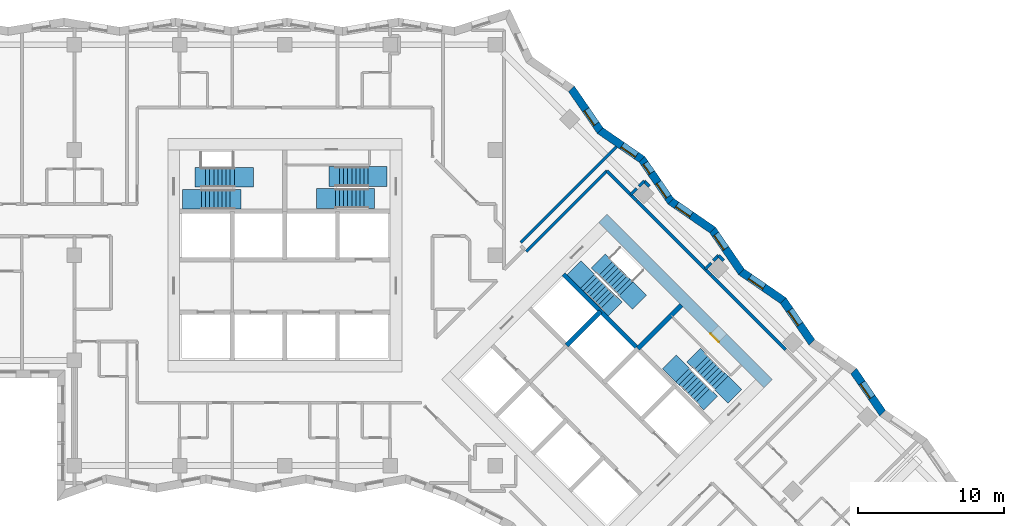
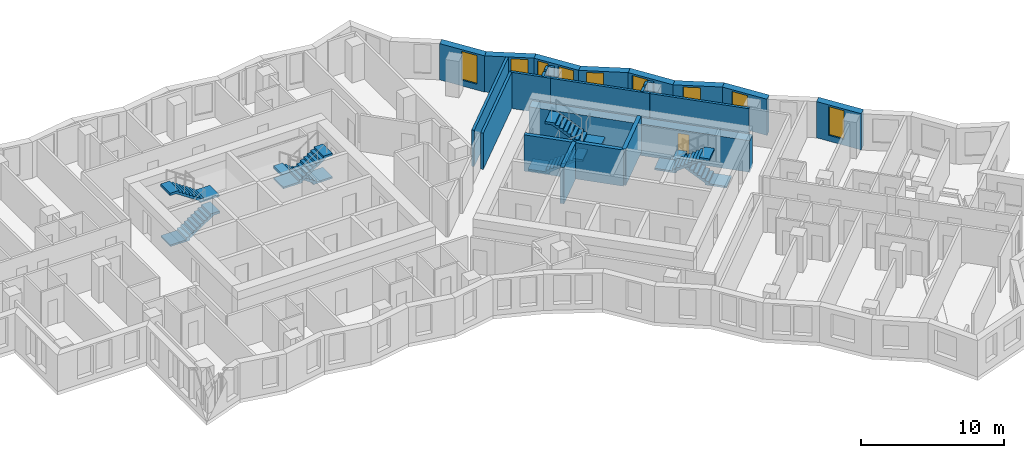
# One storey, part 11 of 14: 23 walls, 9 windows, 8 stair flights, 1 door, 10 openings, 4 elements without a shape of their own.
"""IFC4 building model written with IfcOpenShell, lengths in metres."""

from ifc_helpers import new_model, si_unit, direction, frame, frame_2d, origin, place, context, subcontext, project, spatial, polyline, rectangle, outline, extrude, material, layer, layer_set, type_object, element, fill, aggregate, save


model = new_model("IFC4")

# Units and contexts
model_context = context("Model", 3, precision=1e-05, world=origin(), true_north=direction((0.0, 1.0)))
body_context = subcontext(model_context, "Body", "Model", "MODEL_VIEW")
ifc_project = project(units=[si_unit("LENGTHUNIT", "METRE"), si_unit("AREAUNIT", "SQUARE_METRE"), si_unit("VOLUMEUNIT", "CUBIC_METRE"), si_unit("PLANEANGLEUNIT", "RADIAN"), si_unit("MASSUNIT", "GRAM", prefix="KILO")], contexts=[model_context])

# Site, building, storey
site_placement = place(None, origin())
site = spatial("IfcSite", under=ifc_project, at=site_placement, CompositionType="ELEMENT")
building_placement = place(site_placement, origin())
building = spatial("IfcBuilding", under=site, at=building_placement, Name="Windrow Commons", CompositionType="ELEMENT")
storey_placement = place(building_placement, frame((0.0, 0.0, 118.6)))
storey = spatial("IfcBuildingStorey", under=building, at=storey_placement, Name="L32", CompositionType="ELEMENT", Elevation=118.6)

# Wall, opening, window
ifc_material_1 = material(Name="Brick masonry, red clay brick", Category="masonry")
ifc_layer_1 = layer(ifc_material_1, 0.55)
ifc_layer_set_1 = layer_set([ifc_layer_1], Name="Brick facade wall 550")
wall_type_1 = type_object("IfcWallType", Name="Brick facade wall 550", PredefinedType="SOLIDWALL", material=ifc_layer_set_1)
wall_1_placement = place(storey_placement, frame((105.699, 46.8026, 0.0), z_axis=(0.0, 0.0, 1.0), x_axis=(-0.567104295, 0.8236459911, 0.0)))
wall_1 = element("IfcWall", 1, at=wall_1_placement, inside=storey, type_object=wall_type_1, Name="Brick facade wall L32 10", PredefinedType="SOLIDWALL", context=body_context, shape_type="SweptSolid", body=[
    extrude(outline(polyline([(0.0507, -0.275), (3.5234, -0.275), (3.4219, 0.275), (-0.0507, 0.275), (0.0507, -0.275)])), origin(), (0.0, 0.0, 1.0), 3.1),
])
opening_1_placement = place(wall_1_placement, frame((1.2931, 0.0, 0.5)))
opening_1 = element("IfcOpeningElement", 2, at=opening_1_placement, cuts=wall_1, Name="Opening W7D", PredefinedType="OPENING", context=body_context, shape_type="SweptSolid", body=[
    extrude(rectangle(XDim=1.2, YDim=2.45, at=frame_2d((0.6, 1.225))), frame((0.0, 0.285, 0.0), z_axis=(0.0, -1.0, 0.0), x_axis=(1.0, 0.0, 0.0)), (0.0, 0.0, 1.0), 0.57),
])
ifc_material_2 = material(Name="Clear float glass in anodised aluminium frame", Category="aluminium")
window_type_1 = type_object("IfcWindowType", Name="Window W7 notch 1200x2450", PartitioningType="SINGLE_PANEL", PredefinedType="WINDOW", material=ifc_material_2)
window_1_placement = place(opening_1_placement, origin())
window_1 = element("IfcWindow", 3, at=window_1_placement, inside=storey, type_object=window_type_1, Name="Window L32 10.1", OverallHeight=2.45, OverallWidth=1.2, PartitioningType="SINGLE_PANEL", PredefinedType="WINDOW", context=body_context, shape_type="SweptSolid", body=[
    extrude(rectangle(XDim=1.2, YDim=2.45, at=frame_2d((0.6, 1.225))), frame((0.0, 0.155, 0.0), z_axis=(0.0, -1.0, 0.0), x_axis=(1.0, 0.0, 0.0)), (0.0, 0.0, 1.0), 0.06),
])
fill(opening_1, window_1)

wall_2_placement = place(storey_placement, frame((100.8693, 51.6322, 0.0), z_axis=(0.0, 0.0, 1.0), x_axis=(-0.5670847596, 0.8236594414, 0.0)))
wall_2 = element("IfcWall", 4, at=wall_2_placement, inside=storey, type_object=wall_type_1, Name="Brick facade wall L32 12", PredefinedType="SOLIDWALL", context=body_context, shape_type="SweptSolid", body=[
    extrude(outline(polyline([(0.0507, -0.275), (3.5234, -0.275), (3.4219, 0.275), (-0.0507, 0.275), (0.0507, -0.275)])), origin(), (0.0, 0.0, 1.0), 3.1),
])
opening_2_placement = place(wall_2_placement, frame((1.4811, 0.0, 0.5)))
opening_2 = element("IfcOpeningElement", 5, at=opening_2_placement, cuts=wall_2, Name="Opening W7D", PredefinedType="OPENING", context=body_context, shape_type="SweptSolid", body=[
    extrude(rectangle(XDim=1.2, YDim=2.45, at=frame_2d((0.6, 1.225))), frame((0.0, 0.285, 0.0), z_axis=(0.0, -1.0, 0.0), x_axis=(1.0, 0.0, 0.0)), (0.0, 0.0, 1.0), 0.57),
])
window_2_placement = place(opening_2_placement, origin())
window_2 = element("IfcWindow", 6, at=window_2_placement, inside=storey, type_object=window_type_1, Name="Window L32 12.1", OverallHeight=2.45, OverallWidth=1.2, PartitioningType="SINGLE_PANEL", PredefinedType="WINDOW", context=body_context, shape_type="SweptSolid", body=[
    extrude(rectangle(XDim=1.2, YDim=2.45, at=frame_2d((0.6, 1.225))), frame((0.0, 0.155, 0.0), z_axis=(0.0, -1.0, 0.0), x_axis=(1.0, 0.0, 0.0)), (0.0, 0.0, 1.0), 0.06),
])
fill(opening_2, window_2)

wall_3_placement = place(storey_placement, frame((98.9, 54.4925, 0.0), z_axis=(0.0, 0.0, 1.0), x_axis=(-0.8236594414, 0.5670847596, 0.0)))
wall_3 = element("IfcWall", 7, at=wall_3_placement, inside=storey, type_object=wall_type_1, Name="Brick facade wall L32 13", PredefinedType="SOLIDWALL", context=body_context, shape_type="SweptSolid", body=[
    extrude(outline(polyline([(-0.0507, -0.275), (3.4219, -0.275), (3.5234, 0.275), (0.0507, 0.275), (-0.0507, -0.275)])), origin(), (0.0, 0.0, 1.0), 3.1),
])
opening_3_placement = place(wall_3_placement, frame((1.6005, 0.0, 0.5)))
opening_3 = element("IfcOpeningElement", 8, at=opening_3_placement, cuts=wall_3, Name="Opening W7D", PredefinedType="OPENING", context=body_context, shape_type="SweptSolid", body=[
    extrude(rectangle(XDim=1.2, YDim=2.45, at=frame_2d((0.6, 1.225))), frame((0.0, 0.285, 0.0), z_axis=(0.0, -1.0, 0.0), x_axis=(1.0, 0.0, 0.0)), (0.0, 0.0, 1.0), 0.57),
])
window_3_placement = place(opening_3_placement, origin())
window_3 = element("IfcWindow", 9, at=window_3_placement, inside=storey, type_object=window_type_1, Name="Window L32 13.1", OverallHeight=2.45, OverallWidth=1.2, PartitioningType="SINGLE_PANEL", PredefinedType="WINDOW", context=body_context, shape_type="SweptSolid", body=[
    extrude(rectangle(XDim=1.2, YDim=2.45, at=frame_2d((0.6, 1.225))), frame((0.0, 0.155, 0.0), z_axis=(0.0, -1.0, 0.0), x_axis=(1.0, 0.0, 0.0)), (0.0, 0.0, 1.0), 0.06),
])
fill(opening_3, window_3)

wall_4_placement = place(storey_placement, frame((96.0397, 56.4618, 0.0), z_axis=(0.0, 0.0, 1.0), x_axis=(-0.5670847596, 0.8236594414, 0.0)))
wall_4 = element("IfcWall", 10, at=wall_4_placement, inside=storey, type_object=wall_type_1, Name="Brick facade wall L32 14", PredefinedType="SOLIDWALL", context=body_context, shape_type="SweptSolid", body=[
    extrude(outline(polyline([(0.0507, -0.275), (3.5234, -0.275), (3.4219, 0.275), (-0.0507, 0.275), (0.0507, -0.275)])), origin(), (0.0, 0.0, 1.0), 3.1),
])
opening_4_placement = place(wall_4_placement, frame((1.9192, 0.0, 0.5)))
opening_4 = element("IfcOpeningElement", 11, at=opening_4_placement, cuts=wall_4, Name="Opening W7D", PredefinedType="OPENING", context=body_context, shape_type="SweptSolid", body=[
    extrude(rectangle(XDim=1.2, YDim=2.45, at=frame_2d((0.6, 1.225))), frame((0.0, 0.285, 0.0), z_axis=(0.0, -1.0, 0.0), x_axis=(1.0, 0.0, 0.0)), (0.0, 0.0, 1.0), 0.57),
])
window_4_placement = place(opening_4_placement, origin())
window_4 = element("IfcWindow", 12, at=window_4_placement, inside=storey, type_object=window_type_1, Name="Window L32 14.1", OverallHeight=2.45, OverallWidth=1.2, PartitioningType="SINGLE_PANEL", PredefinedType="WINDOW", context=body_context, shape_type="SweptSolid", body=[
    extrude(rectangle(XDim=1.2, YDim=2.45, at=frame_2d((0.6, 1.225))), frame((0.0, 0.155, 0.0), z_axis=(0.0, -1.0, 0.0), x_axis=(1.0, 0.0, 0.0)), (0.0, 0.0, 1.0), 0.06),
])
fill(opening_4, window_4)

wall_5_placement = place(storey_placement, frame((94.0704, 59.3221, 0.0), z_axis=(0.0, 0.0, 1.0), x_axis=(-0.8236459911, 0.567104295, 0.0)))
wall_5 = element("IfcWall", 13, at=wall_5_placement, inside=storey, type_object=wall_type_1, Name="Brick facade wall L32 15", PredefinedType="SOLIDWALL", context=body_context, shape_type="SweptSolid", body=[
    extrude(outline(polyline([(-0.0507, -0.275), (3.4219, -0.275), (3.5234, 0.275), (0.0507, 0.275), (-0.0507, -0.275)])), origin(), (0.0, 0.0, 1.0), 3.1),
])
opening_5_placement = place(wall_5_placement, frame((1.7886, 0.0, 0.5)))
opening_5 = element("IfcOpeningElement", 14, at=opening_5_placement, cuts=wall_5, Name="Opening W7D", PredefinedType="OPENING", context=body_context, shape_type="SweptSolid", body=[
    extrude(rectangle(XDim=1.2, YDim=2.45, at=frame_2d((0.6, 1.225))), frame((0.0, 0.285, 0.0), z_axis=(0.0, -1.0, 0.0), x_axis=(1.0, 0.0, 0.0)), (0.0, 0.0, 1.0), 0.57),
])
window_5_placement = place(opening_5_placement, origin())
window_5 = element("IfcWindow", 15, at=window_5_placement, inside=storey, type_object=window_type_1, Name="Window L32 15.1", OverallHeight=2.45, OverallWidth=1.2, PartitioningType="SINGLE_PANEL", PredefinedType="WINDOW", context=body_context, shape_type="SweptSolid", body=[
    extrude(rectangle(XDim=1.2, YDim=2.45, at=frame_2d((0.6, 1.225))), frame((0.0, 0.155, 0.0), z_axis=(0.0, -1.0, 0.0), x_axis=(1.0, 0.0, 0.0)), (0.0, 0.0, 1.0), 0.06),
])
fill(opening_5, window_5)

# Wall, openings, windows
wall_6_placement = place(storey_placement, frame((91.2101, 61.2915, 0.0), z_axis=(0.0, 0.0, 1.0), x_axis=(-0.5670847596, 0.8236594414, 0.0)))
wall_6 = element("IfcWall", 16, at=wall_6_placement, inside=storey, type_object=wall_type_1, Name="Brick facade wall L32 16", PredefinedType="SOLIDWALL", context=body_context, shape_type="SweptSolid", body=[
    extrude(outline(polyline([(0.0507, -0.275), (3.5234, -0.275), (3.4219, 0.275), (-0.0507, 0.275), (0.0507, -0.275)])), origin(), (0.0, 0.0, 1.0), 3.1),
])
opening_6_placement = place(wall_6_placement, frame((0.3463, 0.0, 0.5)))
opening_6 = element("IfcOpeningElement", 17, at=opening_6_placement, cuts=wall_6, Name="Opening W7D", PredefinedType="OPENING", context=body_context, shape_type="SweptSolid", body=[
    extrude(rectangle(XDim=1.2, YDim=2.45, at=frame_2d((0.6, 1.225))), frame((0.0, 0.285, 0.0), z_axis=(0.0, -1.0, 0.0), x_axis=(1.0, 0.0, 0.0)), (0.0, 0.0, 1.0), 0.57),
])
opening_7_placement = place(wall_6_placement, frame((2.3468, 0.0, 0.45)))
opening_7 = element("IfcOpeningElement", 18, at=opening_7_placement, cuts=wall_6, Name="Opening W1N", PredefinedType="OPENING", context=body_context, shape_type="SweptSolid", body=[
    extrude(rectangle(XDim=0.8, YDim=2.5, at=frame_2d((0.4, 1.25))), frame((0.0, 0.285, 0.0), z_axis=(0.0, -1.0, 0.0), x_axis=(1.0, 0.0, 0.0)), (0.0, 0.0, 1.0), 0.57),
])
ifc_material_3 = material(Name="Clear float glass in anodised aluminium frame", Category="aluminium")
window_type_2 = type_object("IfcWindowType", Name="Window W1N slit 800x2500", PartitioningType="SINGLE_PANEL", PredefinedType="WINDOW", material=ifc_material_3)
window_6_placement = place(opening_7_placement, origin())
window_6 = element("IfcWindow", 19, at=window_6_placement, inside=storey, type_object=window_type_2, Name="Window L32 16.2A", OverallHeight=2.5, OverallWidth=0.8, PartitioningType="SINGLE_PANEL", PredefinedType="WINDOW", context=body_context, shape_type="SweptSolid", body=[
    extrude(rectangle(XDim=0.8, YDim=2.5, at=frame_2d((0.4, 1.25))), frame((0.0, 0.155, 0.0), z_axis=(0.0, -1.0, 0.0), x_axis=(1.0, 0.0, 0.0)), (0.0, 0.0, 1.0), 0.06),
])
fill(opening_7, window_6)
window_7_placement = place(opening_6_placement, origin())
window_7 = element("IfcWindow", 20, at=window_7_placement, inside=storey, type_object=window_type_1, Name="Window L32 16.1", OverallHeight=2.45, OverallWidth=1.2, PartitioningType="SINGLE_PANEL", PredefinedType="WINDOW", context=body_context, shape_type="SweptSolid", body=[
    extrude(rectangle(XDim=1.2, YDim=2.45, at=frame_2d((0.6, 1.225))), frame((0.0, 0.155, 0.0), z_axis=(0.0, -1.0, 0.0), x_axis=(1.0, 0.0, 0.0)), (0.0, 0.0, 1.0), 0.06),
])
fill(opening_6, window_7)

# Wall, opening, window
wall_7_placement = place(storey_placement, frame((89.2408, 64.1518, 0.0), z_axis=(0.0, 0.0, 1.0), x_axis=(-0.8236594414, 0.5670847596, 0.0)))
wall_7 = element("IfcWall", 21, at=wall_7_placement, inside=storey, type_object=wall_type_1, Name="Brick facade wall L32 17", PredefinedType="SOLIDWALL", context=body_context, shape_type="SweptSolid", body=[
    extrude(outline(polyline([(-0.0507, -0.275), (3.4219, -0.275), (3.5234, 0.275), (0.0507, 0.275), (-0.0507, -0.275)])), origin(), (0.0, 0.0, 1.0), 3.1),
])
opening_8_placement = place(wall_7_placement, frame((0.4657, 0.0, 0.5)))
opening_8 = element("IfcOpeningElement", 22, at=opening_8_placement, cuts=wall_7, Name="Opening W7D", PredefinedType="OPENING", context=body_context, shape_type="SweptSolid", body=[
    extrude(rectangle(XDim=1.2, YDim=2.45, at=frame_2d((0.6, 1.225))), frame((0.0, 0.285, 0.0), z_axis=(0.0, -1.0, 0.0), x_axis=(1.0, 0.0, 0.0)), (0.0, 0.0, 1.0), 0.57),
])
window_8_placement = place(opening_8_placement, origin())
window_8 = element("IfcWindow", 23, at=window_8_placement, inside=storey, type_object=window_type_1, Name="Window L32 17.1", OverallHeight=2.45, OverallWidth=1.2, PartitioningType="SINGLE_PANEL", PredefinedType="WINDOW", context=body_context, shape_type="SweptSolid", body=[
    extrude(rectangle(XDim=1.2, YDim=2.45, at=frame_2d((0.6, 1.225))), frame((0.0, 0.155, 0.0), z_axis=(0.0, -1.0, 0.0), x_axis=(1.0, 0.0, 0.0)), (0.0, 0.0, 1.0), 0.06),
])
fill(opening_8, window_8)

wall_8_placement = place(storey_placement, frame((86.3805, 66.1211, 0.0), z_axis=(0.0, 0.0, 1.0), x_axis=(-0.5670847596, 0.8236594414, 0.0)))
wall_8 = element("IfcWall", 24, at=wall_8_placement, inside=storey, type_object=wall_type_1, Name="Brick facade wall L32 18", PredefinedType="SOLIDWALL", context=body_context, shape_type="SweptSolid", body=[
    extrude(outline(polyline([(0.0507, -0.275), (3.5234, -0.275), (3.4219, 0.275), (-0.0507, 0.275), (0.0507, -0.275)])), origin(), (0.0, 0.0, 1.0), 3.1),
])
opening_9_placement = place(wall_8_placement, frame((0.5344, 0.0, 0.5)))
opening_9 = element("IfcOpeningElement", 25, at=opening_9_placement, cuts=wall_8, Name="Opening W7D", PredefinedType="OPENING", context=body_context, shape_type="SweptSolid", body=[
    extrude(rectangle(XDim=1.2, YDim=2.45, at=frame_2d((0.6, 1.225))), frame((0.0, 0.285, 0.0), z_axis=(0.0, -1.0, 0.0), x_axis=(1.0, 0.0, 0.0)), (0.0, 0.0, 1.0), 0.57),
])
window_9_placement = place(opening_9_placement, origin())
window_9 = element("IfcWindow", 26, at=window_9_placement, inside=storey, type_object=window_type_1, Name="Window L32 18.1", OverallHeight=2.45, OverallWidth=1.2, PartitioningType="SINGLE_PANEL", PredefinedType="WINDOW", context=body_context, shape_type="SweptSolid", body=[
    extrude(rectangle(XDim=1.2, YDim=2.45, at=frame_2d((0.6, 1.225))), frame((0.0, 0.155, 0.0), z_axis=(0.0, -1.0, 0.0), x_axis=(1.0, 0.0, 0.0)), (0.0, 0.0, 1.0), 0.06),
])
fill(opening_9, window_9)

# Walls
ifc_material_4 = material(Name="Blockwork partition", Category="masonry")
ifc_layer_2 = layer(ifc_material_4, 0.2)
ifc_layer_set_2 = layer_set([ifc_layer_2], Name="IW-CORRIDOR-200")
wall_type_2 = type_object("IfcWallType", Name="IW-CORRIDOR-200", PredefinedType="PARTITIONING", material=ifc_layer_set_2)
wall_9_placement = place(storey_placement, frame((81.3224, 57.8576, 0.0), z_axis=(0.0, 0.0, 1.0), x_axis=(0.7069785544, 0.7072349848, 0.0)))
element("IfcWall", 27, at=wall_9_placement, inside=storey, type_object=wall_type_2, Name="W-L32-W016", PredefinedType="PARTITIONING", context=body_context, shape_type="SweptSolid", body=[
    extrude(rectangle(XDim=7.7994, YDim=0.2, at=frame_2d((3.8997, 0.0))), origin(), (0.0, 0.0, 1.0), 3.1),
])
wall_10_placement = place(storey_placement, frame((88.8888, 61.3148, 0.0), z_axis=(0.0, 0.0, 1.0), x_axis=(0.7071067812, -0.7071067812, 0.0)))
element("IfcWall", 28, at=wall_10_placement, inside=storey, type_object=wall_type_2, Name="W-L32-W020", PredefinedType="PARTITIONING", context=body_context, shape_type="SweptSolid", body=[
    extrude(rectangle(XDim=7.187, YDim=0.2, at=frame_2d((3.5935, 0.0))), origin(), (0.0, 0.0, 1.0), 3.1),
])
wall_11_placement = place(storey_placement, frame((93.9808, 56.2228, 0.0), z_axis=(0.0, 0.0, 1.0), x_axis=(0.7071067812, -0.7071067812, 0.0)))
element("IfcWall", 29, at=wall_11_placement, inside=storey, type_object=wall_type_2, Name="W-L32-W022", PredefinedType="PARTITIONING", context=body_context, shape_type="SweptSolid", body=[
    extrude(rectangle(XDim=7.1842, YDim=0.2, at=frame_2d((3.5921, 0.0))), origin(), (0.0, 0.0, 1.0), 3.1),
])
wall_12_placement = place(storey_placement, frame((86.8328, 63.3708, 0.0), z_axis=(0.0, 0.0, 1.0), x_axis=(0.7071067812, -0.7071067812, 0.0)))
element("IfcWall", 30, at=wall_12_placement, inside=storey, type_object=wall_type_2, Name="W-L32-W072", PredefinedType="PARTITIONING", context=body_context, shape_type="SweptSolid", body=[
    extrude(rectangle(XDim=2.8935, YDim=0.2, at=frame_2d((1.4467, 0.0))), origin(), (0.0, 0.0, 1.0), 3.1),
])
ifc_material_5 = material(Name="Blockwork partition", Category="masonry")
ifc_layer_3 = layer(ifc_material_5, 0.2)
ifc_layer_set_3 = layer_set([ifc_layer_3], Name="IW-PARTY-200")
wall_type_3 = type_object("IfcWallType", Name="IW-PARTY-200", PredefinedType="PARTITIONING", material=ifc_layer_set_3)
wall_13_placement = place(storey_placement, frame((80.9489, 58.4771, 0.0), z_axis=(0.0, 0.0, 1.0), x_axis=(0.7071121838, 0.7071013786, 0.0)))
element("IfcWall", 31, at=wall_13_placement, inside=storey, type_object=wall_type_3, Name="W-L32-W013", PredefinedType="PARTITIONING", context=body_context, shape_type="SweptSolid", body=[
    extrude(rectangle(XDim=9.2548, YDim=0.2, at=frame_2d((4.6274, 0.0))), origin(), (0.0, 0.0, 1.0), 3.1),
])
for number, where, z_axis, x_axis, name in (
    (32, (93.5559, 56.6541, 0.0), (0.0, 0.0, 1.0), (0.7087923682, 0.7054171665, 0.0), "W-L32-W194"),
    (33, (88.4669, 61.7431, 0.0), (0.0, 0.0, 1.0), (0.7054171665, 0.7087923682, 0.0), "W-L32-W195"),
):
    element("IfcWall", number, at=place(storey_placement, frame(where, z_axis=z_axis, x_axis=x_axis)), inside=storey, type_object=wall_type_3, Name=name, PredefinedType="PARTITIONING", context=body_context, shape_type="SweptSolid", body=[
        extrude(rectangle(XDim=0.5926, YDim=0.2, at=frame_2d((0.2963, 0.0))), origin(), (0.0, 0.0, 1.0), 3.1),
    ])
for number, where, z_axis, x_axis, name in (
    (34, (94.4781, 57.5781, 0.0), (0.0, 0.0, 1.0), (0.7071067812, -0.7071067812, 0.0), "W-L32-W202"),
    (35, (89.0332, 62.3188, 0.0), (0.0, 0.0, 1.0), (0.7071067812, 0.7071067812, 0.0), "W-L32-W203"),
    (36, (89.3861, 62.6701, 0.0), (0.0, 0.0, 1.0), (0.7071067812, -0.7071067812, 0.0), "W-L32-W204"),
    (37, (94.1244, 57.2276, 0.0), (0.0, 0.0, 1.0), (0.7071067812, 0.7071067812, 0.0), "W-L32-W205"),
):
    element("IfcWall", number, at=place(storey_placement, frame(where, z_axis=z_axis, x_axis=x_axis)), inside=storey, type_object=wall_type_3, Name=name, PredefinedType="PARTITIONING", context=body_context, shape_type="SweptSolid", body=[
        extrude(rectangle(XDim=0.4978, YDim=0.2, at=frame_2d((0.2489, 0.0))), origin(), (0.0, 0.0, 1.0), 3.1),
    ])

# Wall, opening, door
ifc_material_6 = material(Name="Concrete C50/60", Category="concrete")
ifc_layer_4 = layer(ifc_material_6, 0.8)
ifc_layer_set_4 = layer_set([ifc_layer_4], Name="RC CORE WALL 800 C50/60")
wall_type_4 = type_object("IfcWallType", Name="RC CORE WALL 800 C50/60", PredefinedType="SHEAR", material=ifc_layer_set_4)
wall_14_placement = place(storey_placement, frame((86.5539, 60.1206, -0.3), z_axis=(0.0, 0.0, 1.0), x_axis=(0.7071067812, -0.7071067812, 0.0)))
wall_14 = element("IfcWall", 38, at=wall_14_placement, inside=storey, type_object=wall_type_4, Name="Core B wall outer-N", PredefinedType="SHEAR", context=body_context, shape_type="SweptSolid", body=[
    extrude(rectangle(XDim=16.0, YDim=0.8, at=frame_2d((8.0, 0.0))), origin(), (0.0, 0.0, 1.0), 2.7),
])
opening_10_placement = place(wall_14_placement, frame((10.8, 0.0, 0.3)))
opening_10 = element("IfcOpeningElement", 39, at=opening_10_placement, cuts=wall_14, Name="Opening D9", PredefinedType="OPENING", context=body_context, shape_type="SweptSolid", body=[
    extrude(rectangle(XDim=0.8, YDim=2.1, at=frame_2d((0.4, 1.05))), frame((0.0, 0.41, 0.0), z_axis=(0.0, -1.0, 0.0), x_axis=(1.0, 0.0, 0.0)), (0.0, 0.0, 1.0), 0.82),
])
ifc_material_7 = material(Name="Steel fire door leaf", Category="steel")
door_type = type_object("IfcDoorType", Name="Riser access door 800", OperationType="SINGLE_SWING_LEFT", PredefinedType="DOOR", material=ifc_material_7)
door_placement = place(opening_10_placement, origin())
door = element("IfcDoor", 40, at=door_placement, inside=storey, type_object=door_type, Name="Riser access door", OperationType="SINGLE_SWING_RIGHT", OverallHeight=2.1, OverallWidth=0.8, PredefinedType="DOOR", context=body_context, shape_type="SweptSolid", body=[
    extrude(rectangle(XDim=0.8, YDim=2.1, at=frame_2d((0.4, 1.05))), frame((0.0, -0.34, 0.0), z_axis=(0.0, -1.0, 0.0), x_axis=(1.0, 0.0, 0.0)), (0.0, 0.0, 1.0), 0.05),
])
fill(opening_10, door)

# Walls
ifc_material_8 = material(Name="Concrete C50/60", Category="concrete")
ifc_layer_5 = layer(ifc_material_8, 0.3)
ifc_layer_set_5 = layer_set([ifc_layer_5], Name="RC SHAFT WALL 300 C50/60")
wall_type_5 = type_object("IfcWallType", Name="RC SHAFT WALL 300 C50/60", PredefinedType="SOLIDWALL", material=ifc_layer_set_5)
wall_15_placement = place(storey_placement, frame((84.079, 51.4232, 0.0), z_axis=(0.0, 0.0, 1.0), x_axis=(0.7071219326, 0.7070916295, 0.0)))
element("IfcWall", 41, at=wall_15_placement, inside=storey, type_object=wall_type_5, Name="Core B wall shaft-N1", PredefinedType="SOLIDWALL", context=body_context, shape_type="SweptSolid", body=[
    extrude(rectangle(XDim=3.3, YDim=0.3, at=frame_2d((1.65, 0.0))), origin(), (0.0, 0.0, 1.0), 3.1),
])
wall_16_placement = place(storey_placement, frame((83.8669, 56.3022, 0.0), z_axis=(0.0, 0.0, 1.0), x_axis=(0.7071137256, -0.7070998367, 0.0)))
element("IfcWall", 42, at=wall_16_placement, inside=storey, type_object=wall_type_5, Name="Core B wall stair-S", PredefinedType="SOLIDWALL", context=body_context, shape_type="SweptSolid", body=[
    extrude(rectangle(XDim=7.2, YDim=0.3, at=frame_2d((3.6, 0.0))), origin(), (0.0, 0.0, 1.0), 3.1),
])
wall_17_placement = place(storey_placement, frame((88.9581, 51.2111, 0.0), z_axis=(0.0, 0.0, 1.0), x_axis=(0.7071067812, 0.7071067812, 0.0)))
element("IfcWall", 43, at=wall_17_placement, inside=storey, type_object=wall_type_5, Name="Core B wall stair-mid", PredefinedType="SOLIDWALL", context=body_context, shape_type="SweptSolid", body=[
    extrude(rectangle(XDim=4.1999, YDim=0.3, at=frame_2d((2.1, 0.0))), origin(), (0.0, 0.0, 1.0), 3.1),
])

# Stair, stair flights
ifc_material_9 = material(Name="Concrete C40/50", Category="concrete")
stair_type = type_object("IfcStairType", Name="Core stair", PredefinedType="HALF_TURN_STAIR", material=ifc_material_9)
placement = place(storey_placement, origin())
stair_1 = element("IfcStair", 44, at=placement, inside=storey, type_object=stair_type, Name="L32 Exit stair A1 core A", PredefinedType="HALF_TURN_STAIR")
ifc_material_10 = material(Name="Concrete C40/50", Category="concrete")
stair_flight_type = type_object("IfcStairFlightType", Name="Core stair flight", PredefinedType="STRAIGHT", material=ifc_material_10)
stair_flight_1_placement = place(storey_placement, frame((59.1, 61.425, 0.0), z_axis=(0.0, 0.0, 1.0), x_axis=(1.0, 0.0, 0.0)))
stair_flight_1 = element("IfcStairFlight", 45, at=stair_flight_1_placement, type_object=stair_flight_type, Name="ST-A1 flight 1", NumberOfRisers=9, NumberOfTreads=8, PredefinedType="STRAIGHT", RiserHeight=0.188888889, TreadLength=0.28, context=body_context, shape_type="SweptSolid", body=[
    extrude(outline(polyline([(-1.3, -0.15), (-1.3, 0.0), (0.0, 0.0), (0.0, 0.1889), (0.28, 0.1889), (0.28, 0.3778), (0.56, 0.3778), (0.56, 0.5667), (0.84, 0.5667), (0.84, 0.7556), (1.12, 0.7556), (1.12, 0.9444), (1.4, 0.9444), (1.4, 1.1333), (1.68, 1.1333), (1.68, 1.3222), (1.96, 1.3222), (1.96, 1.5111), (2.24, 1.5111), (2.69, 1.5111), (2.69, 1.3111), (2.24, 1.3111), (2.24, 1.3302), (0.2682, 0.0), (0.2682, -0.15), (-1.3, -0.15)])), frame((0.0, 0.675, 0.0), z_axis=(0.0, -1.0, 0.0), x_axis=(1.0, 0.0, 0.0)), (0.0, 0.0, 1.0), 1.35),
])
stair_flight_2_placement = place(storey_placement, frame((61.34, 62.925, 1.7), z_axis=(0.0, 0.0, 1.0), x_axis=(-1.0, 0.0, 0.0)))
stair_flight_2 = element("IfcStairFlight", 46, at=stair_flight_2_placement, type_object=stair_flight_type, Name="ST-A1 flight 2", NumberOfRisers=9, NumberOfTreads=8, PredefinedType="STRAIGHT", RiserHeight=0.188888889, TreadLength=0.28, context=body_context, shape_type="SweptSolid", body=[
    extrude(outline(polyline([(-1.3, -0.15), (-1.3, 0.0), (0.0, 0.0), (0.0, 0.1889), (0.28, 0.1889), (0.28, 0.3778), (0.56, 0.3778), (0.56, 0.5667), (0.84, 0.5667), (0.84, 0.7556), (1.12, 0.7556), (1.12, 0.9444), (1.4, 0.9444), (1.4, 1.1333), (1.68, 1.1333), (1.68, 1.3222), (1.96, 1.3222), (1.96, 1.5111), (2.24, 1.5111), (2.69, 1.5111), (2.69, 1.3111), (2.24, 1.3111), (2.24, 1.3302), (0.2682, 0.0), (0.2682, -0.15), (-1.3, -0.15)])), frame((0.0, 0.675, 0.0), z_axis=(0.0, -1.0, 0.0), x_axis=(1.0, 0.0, 0.0)), (0.0, 0.0, 1.0), 1.35),
])
aggregate(stair_1, [stair_flight_1, stair_flight_2])

stair_2 = element("IfcStair", 47, at=placement, inside=storey, type_object=stair_type, Name="L32 Exit stair A2 core A", PredefinedType="HALF_TURN_STAIR")
stair_flight_3_placement = place(storey_placement, frame((70.5, 62.98, 0.0), z_axis=(0.0, 0.0, 1.0), x_axis=(-1.0, 0.0, 0.0)))
stair_flight_3 = element("IfcStairFlight", 48, at=stair_flight_3_placement, type_object=stair_flight_type, Name="ST-A2 flight 1", NumberOfRisers=9, NumberOfTreads=8, PredefinedType="STRAIGHT", RiserHeight=0.188888889, TreadLength=0.28, context=body_context, shape_type="SweptSolid", body=[
    extrude(outline(polyline([(-1.3, -0.15), (-1.3, 0.0), (0.0, 0.0), (0.0, 0.1889), (0.28, 0.1889), (0.28, 0.3778), (0.56, 0.3778), (0.56, 0.5667), (0.84, 0.5667), (0.84, 0.7556), (1.12, 0.7556), (1.12, 0.9444), (1.4, 0.9444), (1.4, 1.1333), (1.68, 1.1333), (1.68, 1.3222), (1.96, 1.3222), (1.96, 1.5111), (2.24, 1.5111), (2.69, 1.5111), (2.69, 1.3111), (2.24, 1.3111), (2.24, 1.3302), (0.2682, 0.0), (0.2682, -0.15), (-1.3, -0.15)])), frame((0.0, 0.675, 0.0), z_axis=(0.0, -1.0, 0.0), x_axis=(1.0, 0.0, 0.0)), (0.0, 0.0, 1.0), 1.35),
])
stair_flight_4_placement = place(storey_placement, frame((68.26, 61.48, 1.7), z_axis=(0.0, 0.0, 1.0), x_axis=(1.0, 0.0, 0.0)))
stair_flight_4 = element("IfcStairFlight", 49, at=stair_flight_4_placement, type_object=stair_flight_type, Name="ST-A2 flight 2", NumberOfRisers=9, NumberOfTreads=8, PredefinedType="STRAIGHT", RiserHeight=0.188888889, TreadLength=0.28, context=body_context, shape_type="SweptSolid", body=[
    extrude(outline(polyline([(-1.3, -0.15), (-1.3, 0.0), (0.0, 0.0), (0.0, 0.1889), (0.28, 0.1889), (0.28, 0.3778), (0.56, 0.3778), (0.56, 0.5667), (0.84, 0.5667), (0.84, 0.7556), (1.12, 0.7556), (1.12, 0.9444), (1.4, 0.9444), (1.4, 1.1333), (1.68, 1.1333), (1.68, 1.3222), (1.96, 1.3222), (1.96, 1.5111), (2.24, 1.5111), (2.69, 1.5111), (2.69, 1.3111), (2.24, 1.3111), (2.24, 1.3302), (0.2682, 0.0), (0.2682, -0.15), (-1.3, -0.15)])), frame((0.0, 0.675, 0.0), z_axis=(0.0, -1.0, 0.0), x_axis=(1.0, 0.0, 0.0)), (0.0, 0.0, 1.0), 1.35),
])
aggregate(stair_2, [stair_flight_3, stair_flight_4])

stair_3 = element("IfcStair", 50, at=placement, inside=storey, type_object=stair_type, Name="L32 Exit stair B1 core B", PredefinedType="HALF_TURN_STAIR")
stair_flight_5_placement = place(storey_placement, frame((85.5109, 55.8249, 0.0), z_axis=(0.0, 0.0, 1.0), x_axis=(0.7071067812, -0.7071067812, 0.0)))
stair_flight_5 = element("IfcStairFlight", 51, at=stair_flight_5_placement, type_object=stair_flight_type, Name="ST-B1 flight 1", NumberOfRisers=9, NumberOfTreads=8, PredefinedType="STRAIGHT", RiserHeight=0.188888889, TreadLength=0.28, context=body_context, shape_type="SweptSolid", body=[
    extrude(outline(polyline([(-1.3, -0.15), (-1.3, 0.0), (0.0, 0.0), (0.0, 0.1889), (0.28, 0.1889), (0.28, 0.3778), (0.56, 0.3778), (0.56, 0.5667), (0.84, 0.5667), (0.84, 0.7556), (1.12, 0.7556), (1.12, 0.9444), (1.4, 0.9444), (1.4, 1.1333), (1.68, 1.1333), (1.68, 1.3222), (1.96, 1.3222), (1.96, 1.5111), (2.24, 1.5111), (2.69, 1.5111), (2.69, 1.3111), (2.24, 1.3111), (2.24, 1.3302), (0.2682, 0.0), (0.2682, -0.15), (-1.3, -0.15)])), frame((0.0, 0.675, 0.0), z_axis=(0.0, -1.0, 0.0), x_axis=(1.0, 0.0, 0.0)), (0.0, 0.0, 1.0), 1.35),
])
stair_flight_6_placement = place(storey_placement, frame((88.1555, 55.3017, 1.7), z_axis=(0.0, 0.0, 1.0), x_axis=(-0.7071067812, 0.7071067812, 0.0)))
stair_flight_6 = element("IfcStairFlight", 52, at=stair_flight_6_placement, type_object=stair_flight_type, Name="ST-B1 flight 2", NumberOfRisers=9, NumberOfTreads=8, PredefinedType="STRAIGHT", RiserHeight=0.188888889, TreadLength=0.28, context=body_context, shape_type="SweptSolid", body=[
    extrude(outline(polyline([(-1.3, -0.15), (-1.3, 0.0), (0.0, 0.0), (0.0, 0.1889), (0.28, 0.1889), (0.28, 0.3778), (0.56, 0.3778), (0.56, 0.5667), (0.84, 0.5667), (0.84, 0.7556), (1.12, 0.7556), (1.12, 0.9444), (1.4, 0.9444), (1.4, 1.1333), (1.68, 1.1333), (1.68, 1.3222), (1.96, 1.3222), (1.96, 1.5111), (2.24, 1.5111), (2.69, 1.5111), (2.69, 1.3111), (2.24, 1.3111), (2.24, 1.3302), (0.2682, 0.0), (0.2682, -0.15), (-1.3, -0.15)])), frame((0.0, 0.675, 0.0), z_axis=(0.0, -1.0, 0.0), x_axis=(1.0, 0.0, 0.0)), (0.0, 0.0, 1.0), 1.35),
])
aggregate(stair_3, [stair_flight_5, stair_flight_6])

stair_4 = element("IfcStair", 53, at=placement, inside=storey, type_object=stair_type, Name="L32 Exit stair B2 core B", PredefinedType="HALF_TURN_STAIR")
stair_flight_7_placement = place(storey_placement, frame((94.6715, 48.8635, 0.0), z_axis=(0.0, 0.0, 1.0), x_axis=(-0.7071067812, 0.7071067812, 0.0)))
stair_flight_7 = element("IfcStairFlight", 54, at=stair_flight_7_placement, type_object=stair_flight_type, Name="ST-B2 flight 1", NumberOfRisers=9, NumberOfTreads=8, PredefinedType="STRAIGHT", RiserHeight=0.188888889, TreadLength=0.28, context=body_context, shape_type="SweptSolid", body=[
    extrude(outline(polyline([(-1.3, -0.15), (-1.3, 0.0), (0.0, 0.0), (0.0, 0.1889), (0.28, 0.1889), (0.28, 0.3778), (0.56, 0.3778), (0.56, 0.5667), (0.84, 0.5667), (0.84, 0.7556), (1.12, 0.7556), (1.12, 0.9444), (1.4, 0.9444), (1.4, 1.1333), (1.68, 1.1333), (1.68, 1.3222), (1.96, 1.3222), (1.96, 1.5111), (2.24, 1.5111), (2.69, 1.5111), (2.69, 1.3111), (2.24, 1.3111), (2.24, 1.3302), (0.2682, 0.0), (0.2682, -0.15), (-1.3, -0.15)])), frame((0.0, 0.675, 0.0), z_axis=(0.0, -1.0, 0.0), x_axis=(1.0, 0.0, 0.0)), (0.0, 0.0, 1.0), 1.35),
])
stair_flight_8_placement = place(storey_placement, frame((92.0269, 49.3867, 1.7), z_axis=(0.0, 0.0, 1.0), x_axis=(0.7071067812, -0.7071067812, 0.0)))
stair_flight_8 = element("IfcStairFlight", 55, at=stair_flight_8_placement, type_object=stair_flight_type, Name="ST-B2 flight 2", NumberOfRisers=9, NumberOfTreads=8, PredefinedType="STRAIGHT", RiserHeight=0.188888889, TreadLength=0.28, context=body_context, shape_type="SweptSolid", body=[
    extrude(outline(polyline([(-1.3, -0.15), (-1.3, 0.0), (0.0, 0.0), (0.0, 0.1889), (0.28, 0.1889), (0.28, 0.3778), (0.56, 0.3778), (0.56, 0.5667), (0.84, 0.5667), (0.84, 0.7556), (1.12, 0.7556), (1.12, 0.9444), (1.4, 0.9444), (1.4, 1.1333), (1.68, 1.1333), (1.68, 1.3222), (1.96, 1.3222), (1.96, 1.5111), (2.24, 1.5111), (2.69, 1.5111), (2.69, 1.3111), (2.24, 1.3111), (2.24, 1.3302), (0.2682, 0.0), (0.2682, -0.15), (-1.3, -0.15)])), frame((0.0, 0.675, 0.0), z_axis=(0.0, -1.0, 0.0), x_axis=(1.0, 0.0, 0.0)), (0.0, 0.0, 1.0), 1.35),
])
aggregate(stair_4, [stair_flight_7, stair_flight_8])

save(model, "model.ifc")
